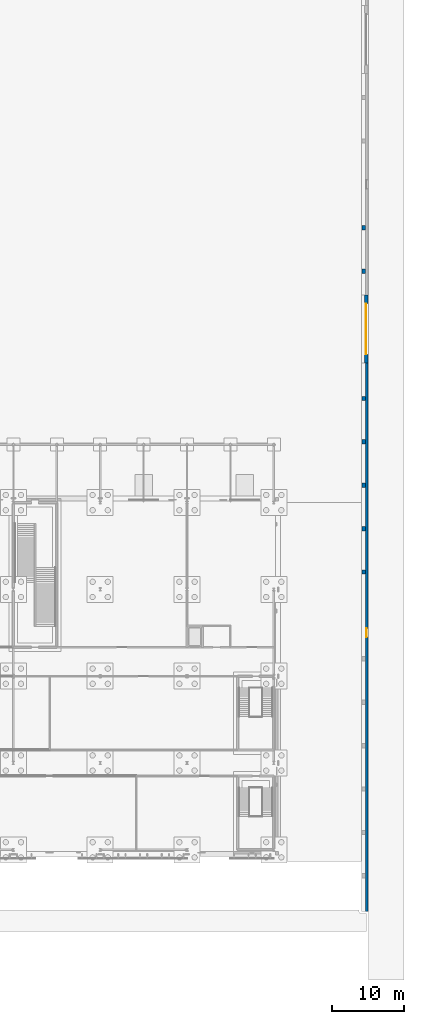
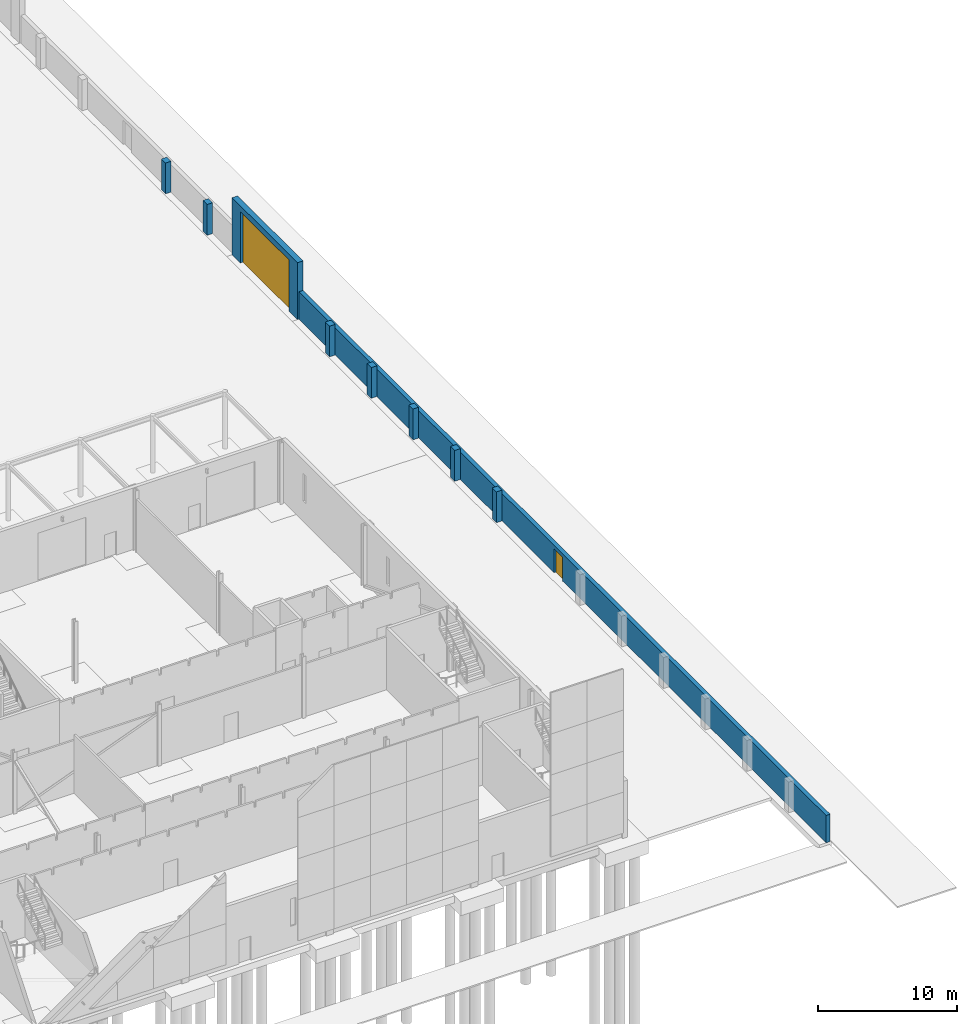
# One storey, part 91 of 132: 9 walls, 2 doors, 2 openings.
"""IFC4 building model written with IfcOpenShell, lengths in metres."""

from ifc_helpers import new_model, si_unit, direction, frame, frame_2d, origin, place, context, subcontext, project, spatial, rectangle, extrude, material, layer, layer_set, type_object, element, fill, save


model = new_model("IFC4")

# Units and contexts
model_context = context("Model", 3, precision=1e-05, world=origin(), true_north=direction((0.0, 1.0)))
body_context = subcontext(model_context, "Body", "Model", "MODEL_VIEW")
ifc_project = project(units=[si_unit("LENGTHUNIT", "METRE"), si_unit("AREAUNIT", "SQUARE_METRE"), si_unit("VOLUMEUNIT", "CUBIC_METRE"), si_unit("PLANEANGLEUNIT", "RADIAN"), si_unit("MASSUNIT", "GRAM", prefix="KILO")], contexts=[model_context])

# Site, building, storey
site_placement = place(None, origin())
site = spatial("IfcSite", under=ifc_project, at=site_placement, CompositionType="ELEMENT")
building_placement = place(site_placement, origin())
building = spatial("IfcBuilding", under=site, at=building_placement, Name="Ravi Spectrum Wholesale Market", CompositionType="ELEMENT")
storey_placement = place(building_placement, origin())
storey = spatial("IfcBuildingStorey", under=building, at=storey_placement, Name="L00", CompositionType="ELEMENT", Elevation=0.0)

# Wall, opening, door
ifc_material_1 = material(Name="Facing brickwork", Category="masonry")
ifc_layer_1 = layer(ifc_material_1, 0.340087890625)
ifc_layer_set_1 = layer_set([ifc_layer_1], Name="Facing brickwork")
wall_type_1 = type_object("IfcWallType", Name="Boundary wall 340 facing brick", PredefinedType="SOLIDWALL", material=ifc_layer_set_1)
wall_1_placement = place(storey_placement, frame((294.830078125, 9.5, 0.0), z_axis=(0.0, 0.0, 1.0), x_axis=(0.0, 1.0, 0.0)))
wall_1 = element("IfcWall", 1, at=wall_1_placement, inside=storey, type_object=wall_type_1, Name="ST-WL-L00-041", PredefinedType="SOLIDWALL", context=body_context, shape_type="SweptSolid", body=[
    extrude(rectangle(XDim=75.800048828125, YDim=0.340087890625, at=frame_2d((37.89990234375, 0.0))), origin(), (0.0, 0.0, 1.0), 2.39990234375),
])
opening_1_placement = place(wall_1_placement, frame((37.89990234375, 0.0, 0.0)))
opening_1 = element("IfcOpeningElement", 2, at=opening_1_placement, cuts=wall_1, Name="Opening D757", PredefinedType="OPENING", context=body_context, shape_type="SweptSolid", body=[
    extrude(rectangle(XDim=1.199951171875, YDim=2.10009765625, at=frame_2d((0.60009765625, 1.050048828125))), frame((0.0, 0.179931640625, 0.0), z_axis=(0.0, -1.0, 0.0), x_axis=(1.0, 0.0, 0.0)), (0.0, 0.0, 1.0), 0.360107421875),
])
ifc_material_2 = material(Name="Steel gate", Category="steel")
door_type_1 = type_object("IfcDoorType", Name="Pedestrian gate 1200 x 2100", OperationType="SINGLE_SWING_LEFT", PredefinedType="GATE", material=ifc_material_2)
door_1_placement = place(opening_1_placement, origin())
door_1 = element("IfcDoor", 3, at=door_1_placement, inside=storey, type_object=door_type_1, Name="Door D757", OperationType="SINGLE_SWING_LEFT", OverallHeight=2.10009765625, OverallWidth=1.199951171875, PredefinedType="GATE", context=body_context, shape_type="SweptSolid", body=[
    extrude(rectangle(XDim=1.199951171875, YDim=2.10009765625, at=frame_2d((0.60009765625, 1.050048828125))), frame((0.0, 0.02490234375, 0.0), z_axis=(0.0, -1.0, 0.0), x_axis=(1.0, 0.0, 0.0)), (0.0, 0.0, 1.0), 0.050048828125),
])
fill(opening_1, door_1)

ifc_material_3 = material(Name="Clinker brickwork", Category="masonry")
ifc_layer_2 = layer(ifc_material_3, 0.4599609375)
ifc_layer_set_2 = layer_set([ifc_layer_2], Name="Clinker brickwork")
wall_type_2 = type_object("IfcWallType", Name="Brick 460 pier wall", PredefinedType="SOLIDWALL", material=ifc_layer_set_2)
wall_2_placement = place(storey_placement, frame((294.77001953125, 85.300048828125, 0.0), z_axis=(0.0, 0.0, 1.0), x_axis=(0.0, 1.0, 0.0)))
wall_2 = element("IfcWall", 4, at=wall_2_placement, inside=storey, type_object=wall_type_2, Name="ST-WL-L00-038", PredefinedType="SOLIDWALL", context=body_context, shape_type="SweptSolid", body=[
    extrude(rectangle(XDim=9.39990234375, YDim=0.4599609375, at=frame_2d((4.699951171875, 0.0))), origin(), (0.0, 0.0, 1.0), 5.0),
])
opening_2_placement = place(wall_2_placement, frame((1.199951171875, 0.0, 0.0)))
opening_2 = element("IfcOpeningElement", 5, at=opening_2_placement, cuts=wall_2, Name="Opening D754", PredefinedType="OPENING", context=body_context, shape_type="SweptSolid", body=[
    extrude(rectangle(XDim=7.0, YDim=4.5, at=frame_2d((3.5, 2.25))), frame((0.0, 0.239990234375, 0.0), z_axis=(0.0, -1.0, 0.0), x_axis=(1.0, 0.0, 0.0)), (0.0, 0.0, 1.0), 0.47998046875),
])
ifc_material_4 = material(Name="Steel gate", Category="steel")
door_type_2 = type_object("IfcDoorType", Name="Sliding truck gate 7000 x 4500", OperationType="SLIDING_TO_LEFT", PredefinedType="GATE", material=ifc_material_4)
door_2_placement = place(opening_2_placement, origin())
door_2 = element("IfcDoor", 6, at=door_2_placement, inside=storey, type_object=door_type_2, Name="Gate D754", OperationType="SLIDING_TO_LEFT", OverallHeight=4.5, OverallWidth=7.0, PredefinedType="GATE", context=body_context, shape_type="SweptSolid", body=[
    extrude(rectangle(XDim=7.0, YDim=4.5, at=frame_2d((3.5, 2.25))), frame((0.0, 0.02490234375, 0.0), z_axis=(0.0, -1.0, 0.0), x_axis=(1.0, 0.0, 0.0)), (0.0, 0.0, 1.0), 0.050048828125),
])
fill(opening_2, door_2)

# Walls
for number, where, z_axis, x_axis, name in (
    (7, (294.429931640625, 56.10009765625, 0.0), (0.0, 0.0, 1.0), (0.0, 1.0, 0.0), "ST-WL-L00-048"),
    (8, (294.429931640625, 62.10009765625, 0.0), (0.0, 0.0, 1.0), (0.0, 1.0, 0.0), "ST-WL-L00-049"),
    (9, (294.429931640625, 68.10009765625, 0.0), (0.0, 0.0, 1.0), (0.0, 1.0, 0.0), "ST-WL-L00-050"),
    (10, (294.429931640625, 74.10009765625, 0.0), (0.0, 0.0, 1.0), (0.0, 1.0, 0.0), "ST-WL-L00-051"),
    (11, (294.429931640625, 80.10009765625, 0.0), (0.0, 0.0, 1.0), (0.0, 1.0, 0.0), "ST-WL-L00-052"),
):
    element("IfcWall", number, at=place(storey_placement, frame(where, z_axis=z_axis, x_axis=x_axis)), inside=storey, type_object=wall_type_2, Name=name, PredefinedType="SOLIDWALL", context=body_context, shape_type="SweptSolid", body=[
        extrude(rectangle(XDim=0.599853515625, YDim=0.4599609375, at=frame_2d((0.2998046875, 0.0))), origin(), (0.0, 0.0, 1.0), 2.699951171875),
    ])
for number, where, z_axis, x_axis, name in (
    (12, (294.429931640625, 97.699951171875, 0.0), (0.0, 0.0, 1.0), (0.0, 1.0, 0.0), "ST-WL-L00-054"),
    (13, (294.429931640625, 103.699951171875, 0.0), (0.0, 0.0, 1.0), (0.0, 1.0, 0.0), "ST-WL-L00-055"),
):
    element("IfcWall", number, at=place(storey_placement, frame(where, z_axis=z_axis, x_axis=x_axis)), inside=storey, type_object=wall_type_2, Name=name, PredefinedType="SOLIDWALL", context=body_context, shape_type="SweptSolid", body=[
        extrude(rectangle(XDim=0.60009765625, YDim=0.4599609375, at=frame_2d((0.300048828125, 0.0))), origin(), (0.0, 0.0, 1.0), 2.699951171875),
    ])

save(model, "model.ifc")
